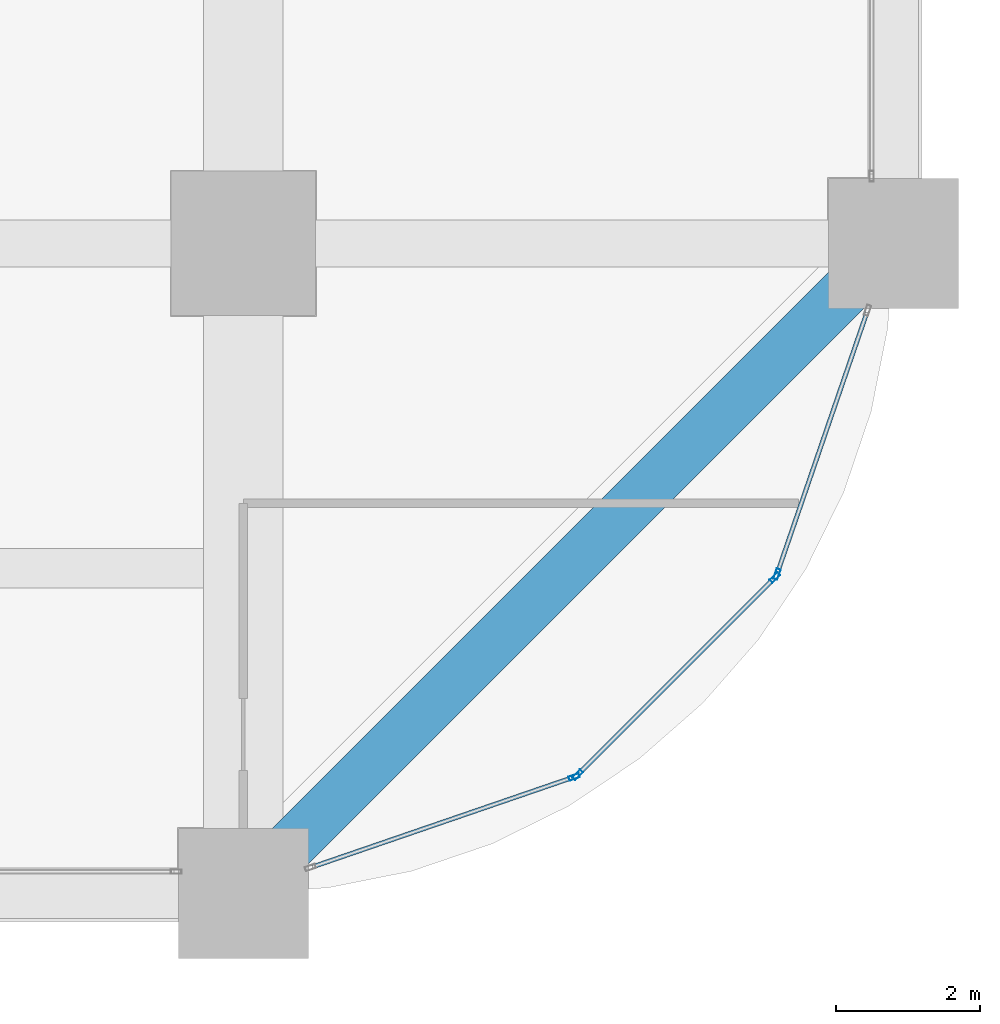
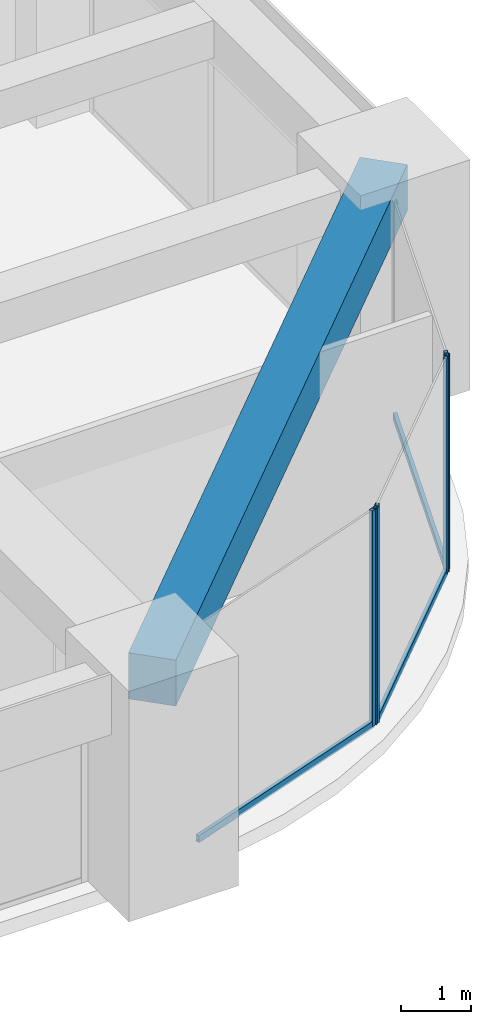
# One storey, part 17 of 39: 7 members, 1 beam, 3 elements without a shape of their own.
"""IFC4 building model written with IfcOpenShell, lengths in metres."""

from ifc_helpers import new_model, si_unit, direction, frame, origin, origin_2d, place, context, subcontext, project, spatial, rectangle, hollow_rectangle, extrude, material, material_profile, profile_set, type_object, element, aggregate, save


model = new_model("IFC4")

# Units and contexts
model_context = context("Model", 3, precision=1e-05, world=origin(), true_north=direction((0.0, 1.0)))
body_context = subcontext(model_context, "Body", "Model", "MODEL_VIEW")
ifc_project = project(units=[si_unit("LENGTHUNIT", "METRE"), si_unit("AREAUNIT", "SQUARE_METRE"), si_unit("VOLUMEUNIT", "CUBIC_METRE"), si_unit("PLANEANGLEUNIT", "RADIAN"), si_unit("MASSUNIT", "GRAM", prefix="KILO")], contexts=[model_context])

# Site, building, storey
site_placement = place(None, origin())
site = spatial("IfcSite", under=ifc_project, at=site_placement, CompositionType="ELEMENT")
building_placement = place(site_placement, origin())
building = spatial("IfcBuilding", under=site, at=building_placement, Name="Zorevar Civic Tower", CompositionType="ELEMENT")
storey_placement = place(building_placement, frame((0.0, 0.0, 117.0)))
storey = spatial("IfcBuildingStorey", under=building, at=storey_placement, Name="L28", CompositionType="ELEMENT", Elevation=117.0)

# Curtain wall, member
ifc_material_1 = material(Name="Dark grey solar-control glass in black aluminium frame", Category="aluminium")
curtain_wall_type = type_object("IfcCurtainWallType", Name="Curtain wall CW3 mid zone", PredefinedType="NOTDEFINED", material=ifc_material_1)
curtain_wall_1_placement = place(storey_placement, origin())
curtain_wall_1 = element("IfcCurtainWall", 1, at=curtain_wall_1_placement, inside=storey, type_object=curtain_wall_type, Name="CW3 L28", PredefinedType="NOTDEFINED")
ifc_material_2 = material(Name="Aluminium, black anodised", Category="aluminium")
ifc_material_profile_1 = material_profile(ifc_material_2, hollow_rectangle(XDim=0.06005859375, YDim=0.14990234375, WallThickness=0.00390625, at=origin_2d()), Name="AL 150x60x4")
ifc_profile_set_1 = profile_set([ifc_material_profile_1], Name="Aluminium, black anodised")
member_type_1 = type_object("IfcMemberType", Name="CW3 mullion AL 150x60x4", PredefinedType="MULLION", material=ifc_profile_set_1)
member_1_placement = place(storey_placement, frame((58.579345703125, 1.610595703125, 0.0), z_axis=(0.0, 0.0, 1.0), x_axis=(-0.324878466857, 0.945755772794, 0.0)))
member_1 = element("IfcMember", 2, at=member_1_placement, type_object=member_type_1, Name="CW3 mullion 2", PredefinedType="MULLION", context=body_context, shape_type="SweptSolid", body=[
    extrude(hollow_rectangle(XDim=0.06005859375, YDim=0.14990234375, WallThickness=0.00390625, at=origin_2d()), origin(), (0.0, 0.0, 1.0), 3.75),
])

# Curtain wall, members
curtain_wall_2_placement = place(storey_placement, origin())
curtain_wall_2 = element("IfcCurtainWall", 3, at=curtain_wall_2_placement, inside=storey, type_object=curtain_wall_type, Name="CW3 L28", PredefinedType="NOTDEFINED")
member_2_placement = place(storey_placement, frame((58.62890625, 1.6416015625, 0.0), z_axis=(0.0, 0.0, 1.0), x_axis=(-0.707106781187, 0.707106781187, 0.0)))
member_2 = element("IfcMember", 4, at=member_2_placement, type_object=member_type_1, Name="CW3 mullion 1", PredefinedType="MULLION", context=body_context, shape_type="SweptSolid", body=[
    extrude(hollow_rectangle(XDim=0.06005859375, YDim=0.14990234375, WallThickness=0.00390625, at=origin_2d()), origin(), (0.0, 0.0, 1.0), 3.75),
])
member_3_placement = place(storey_placement, frame((61.3583984375, 4.37109375, 0.0), z_axis=(0.0, 0.0, 1.0), x_axis=(-0.707106781187, 0.707106781187, 0.0)))
member_3 = element("IfcMember", 5, at=member_3_placement, type_object=member_type_1, Name="CW3 mullion 2", PredefinedType="MULLION", context=body_context, shape_type="SweptSolid", body=[
    extrude(hollow_rectangle(XDim=0.06005859375, YDim=0.14990234375, WallThickness=0.00390625, at=origin_2d()), origin(), (0.0, 0.0, 1.0), 3.75),
])

# Curtain wall, member
curtain_wall_3_placement = place(storey_placement, origin())
curtain_wall_3 = element("IfcCurtainWall", 6, at=curtain_wall_3_placement, inside=storey, type_object=curtain_wall_type, Name="CW3 L28", PredefinedType="NOTDEFINED")
member_4_placement = place(storey_placement, frame((61.389404296875, 4.420654296875, 0.0), z_axis=(0.0, 0.0, 1.0), x_axis=(-0.945755772794, 0.324878466857, 0.0)))
member_4 = element("IfcMember", 7, at=member_4_placement, type_object=member_type_1, Name="CW3 mullion 1", PredefinedType="MULLION", context=body_context, shape_type="SweptSolid", body=[
    extrude(hollow_rectangle(XDim=0.06005859375, YDim=0.14990234375, WallThickness=0.00390625, at=origin_2d()), origin(), (0.0, 0.0, 1.0), 3.75),
])

# Member
ifc_material_3 = material(Name="Aluminium, black anodised", Category="aluminium")
ifc_material_profile_2 = material_profile(ifc_material_3, hollow_rectangle(XDim=0.06005859375, YDim=0.1201171875, WallThickness=0.0029296875, at=origin_2d()), Name="AL 120x60x3")
ifc_profile_set_2 = profile_set([ifc_material_profile_2], Name="Aluminium, black anodised")
member_type_2 = type_object("IfcMemberType", Name="CW3 transom AL 120x60x3", PredefinedType="USERDEFINED", material=ifc_profile_set_2)
member_5_placement = place(storey_placement, frame((54.956787109375, 0.3662109375, 0.030029296875), z_axis=(0.945752620422, 0.324887643602, 0.0), x_axis=(-0.324887643602, 0.945752620422, 0.0)))
member_5 = element("IfcMember", 8, at=member_5_placement, type_object=member_type_2, Name="CW3 sill transom", ObjectType="TRANSOM", PredefinedType="USERDEFINED", context=body_context, shape_type="SweptSolid", body=[
    extrude(hollow_rectangle(XDim=0.06005859375, YDim=0.1201171875, WallThickness=0.0029296875, at=origin_2d()), origin(), (0.0, 0.0, 1.0), 3.800048828125),
])

aggregate(curtain_wall_1, [member_1, member_5])

member_6_placement = place(storey_placement, frame((58.650146484375, 1.662841796875, 0.030029296875), z_axis=(0.707106781187, 0.707106781187, 0.0), x_axis=(-0.707106781187, 0.707106781187, 0.0)))
member_6 = element("IfcMember", 9, at=member_6_placement, type_object=member_type_2, Name="CW3 sill transom", ObjectType="TRANSOM", PredefinedType="USERDEFINED", context=body_context, shape_type="SweptSolid", body=[
    extrude(hollow_rectangle(XDim=0.06005859375, YDim=0.1201171875, WallThickness=0.0029296875, at=origin_2d()), origin(), (0.0, 0.0, 1.0), 3.800048828125),
])

aggregate(curtain_wall_2, [member_2, member_3, member_6])

member_7_placement = place(storey_placement, frame((61.399169921875, 4.44921875, 0.030029296875), z_axis=(0.324887643602, 0.945752620422, 0.0), x_axis=(-0.945752620422, 0.324887643602, 0.0)))
member_7 = element("IfcMember", 10, at=member_7_placement, type_object=member_type_2, Name="CW3 sill transom", ObjectType="TRANSOM", PredefinedType="USERDEFINED", context=body_context, shape_type="SweptSolid", body=[
    extrude(hollow_rectangle(XDim=0.06005859375, YDim=0.1201171875, WallThickness=0.0029296875, at=origin_2d()), origin(), (0.0, 0.0, 1.0), 3.800048828125),
])

aggregate(curtain_wall_3, [member_4, member_7])

# Beam
ifc_material_4 = material(Name="Concrete C50/60", Category="concrete")
ifc_material_profile_3 = material_profile(ifc_material_4, rectangle(XDim=0.699951171875, YDim=0.800048828125, at=origin_2d()), Name="RC 700x800")
ifc_profile_set_3 = profile_set([ifc_material_profile_3], Name="Concrete C50/60")
beam_type = type_object("IfcBeamType", Name="Edge beam RC 700x800", PredefinedType="SPANDREL", material=ifc_profile_set_3)
beam_placement = place(storey_placement, frame((54.0, 0.0, 3.35009765625), z_axis=(0.707106781187, 0.707106781187, 0.0), x_axis=(-0.707106781187, 0.707106781187, 0.0)))
element("IfcBeam", 11, at=beam_placement, inside=storey, type_object=beam_type, Name="Corner edge beam L29", PredefinedType="SPANDREL", context=body_context, shape_type="SweptSolid", body=[
    extrude(rectangle(XDim=0.699951171875, YDim=0.800048828125, at=origin_2d()), origin(), (0.0, 0.0, 1.0), 12.72802734375),
])

save(model, "model.ifc")
